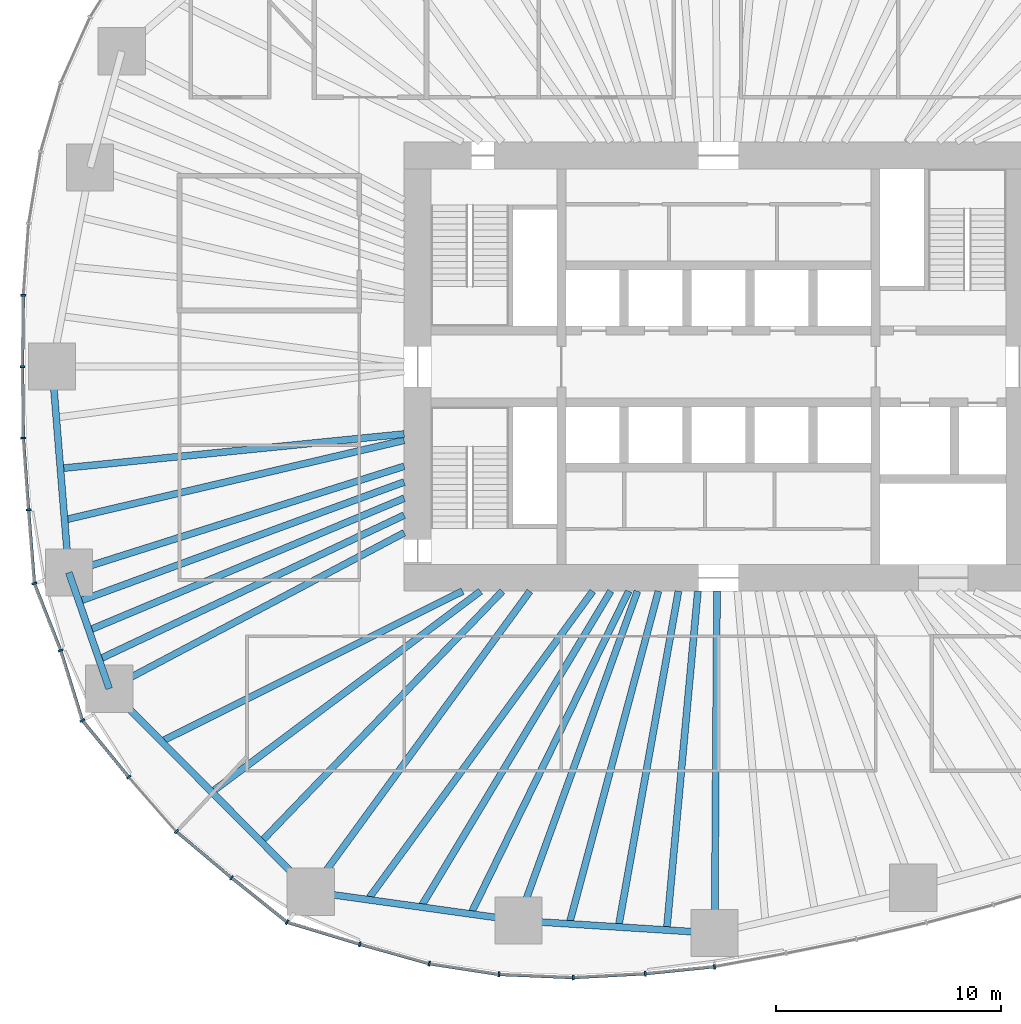
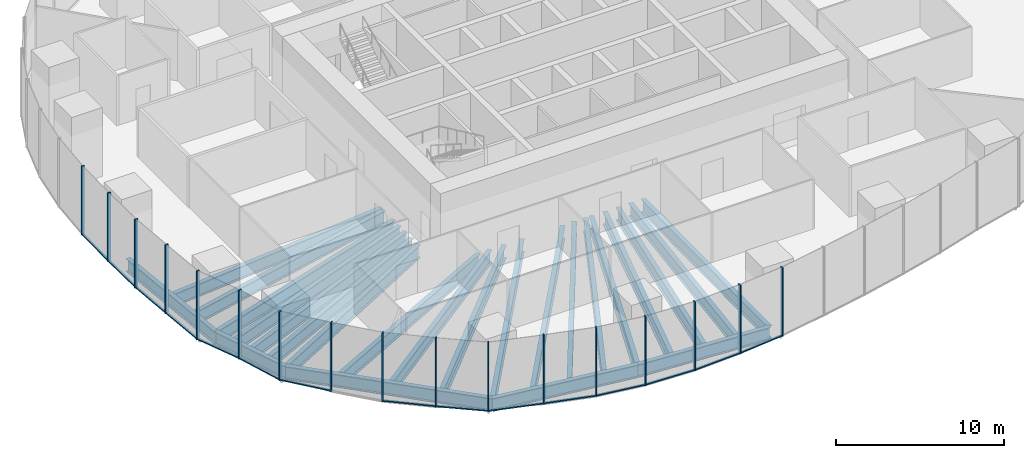
# One storey, part 2 of 20: 32 members, 24 beams, 7 elements without a shape of their own.
"""IFC4 building model written with IfcOpenShell, lengths in metres."""

from ifc_helpers import new_model, si_unit, direction, frame, origin, origin_2d, place, context, subcontext, project, spatial, rectangle, i_section, extrude, material, material_profile, profile_set, type_object, element, aggregate, save


model = new_model("IFC4")

# Units and contexts
model_context = context("Model", 3, precision=1e-05, world=origin(), true_north=direction((0.0, 1.0)))
body_context = subcontext(model_context, "Body", "Model", "MODEL_VIEW")
ifc_project = project(units=[si_unit("LENGTHUNIT", "METRE"), si_unit("AREAUNIT", "SQUARE_METRE"), si_unit("VOLUMEUNIT", "CUBIC_METRE"), si_unit("PLANEANGLEUNIT", "RADIAN"), si_unit("MASSUNIT", "GRAM", prefix="KILO")], contexts=[model_context])

# Site, building, storey
site_placement = place(None, origin())
site = spatial("IfcSite", under=ifc_project, at=site_placement, CompositionType="ELEMENT")
building_placement = place(site_placement, origin())
building = spatial("IfcBuilding", under=site, at=building_placement, Name="Ghaith Harvest Tower", CompositionType="ELEMENT")
storey_placement = place(building_placement, frame((0.0, 0.0, 40.0)))
storey = spatial("IfcBuildingStorey", under=building, at=storey_placement, Name="L08", CompositionType="ELEMENT", Elevation=40.0)

# Curtain wall, member
ifc_material_1 = material(Name="Black anodised aluminium and fritted glass", Category="aluminium")
curtain_wall_type = type_object("IfcCurtainWallType", Name="CW-F CURTAIN WALL", PredefinedType="NOTDEFINED", material=ifc_material_1)
curtain_wall_1_placement = place(storey_placement, origin())
curtain_wall_1 = element("IfcCurtainWall", 1, at=curtain_wall_1_placement, inside=storey, type_object=curtain_wall_type, Name="Curtain wall CW-F bay 10 L08", PredefinedType="NOTDEFINED")
ifc_material_2 = material(Name="Aluminium, black anodised", Category="aluminium")
ifc_material_profile_1 = material_profile(ifc_material_2, rectangle(XDim=0.080078125, YDim=0.219970703125, at=origin_2d()), Name="CW-F MULLION 80x220")
ifc_profile_set_1 = profile_set([ifc_material_profile_1], Name="Aluminium, black anodised")
member_type_1 = type_object("IfcMemberType", Name="CW-F MULLION 80x220", PredefinedType="MULLION", material=ifc_profile_set_1)
member_1_placement = place(storey_placement, frame((-30.95654296875, 3.177978515625, 0.0), z_axis=(0.0, 0.0, 1.0), x_axis=(-0.042427007767, -0.999099569118, 0.0)))
member_1 = element("IfcMember", 2, at=member_1_placement, type_object=member_type_1, Name="CW-F mullion 3 bay 10 L08", PredefinedType="MULLION", context=body_context, shape_type="SweptSolid", body=[
    extrude(rectangle(XDim=0.080078125, YDim=0.219970703125, at=origin_2d()), origin(), (0.0, 0.0, 1.0), 5.0),
])

# Curtain wall, members
curtain_wall_2_placement = place(storey_placement, origin())
curtain_wall_2 = element("IfcCurtainWall", 3, at=curtain_wall_2_placement, inside=storey, type_object=curtain_wall_type, Name="Curtain wall CW-F bay 11 L08", PredefinedType="NOTDEFINED")
member_2_placement = place(storey_placement, frame((-30.9951171875, 0.0, 0.0), z_axis=(0.0, 0.0, 1.0), x_axis=(1.4e-10, -1.0, 0.0)))
member_2 = element("IfcMember", 4, at=member_2_placement, type_object=member_type_1, Name="CW-F mullion 1 bay 11 L08", PredefinedType="MULLION", context=body_context, shape_type="SweptSolid", body=[
    extrude(rectangle(XDim=0.080078125, YDim=0.219970703125, at=origin_2d()), origin(), (0.0, 0.0, 1.0), 5.0),
])
member_3_placement = place(storey_placement, frame((-30.95654296875, -3.177978515625, 0.0), z_axis=(0.0, 0.0, 1.0), x_axis=(0.042427007872, -0.999099569114, 0.0)))
member_3 = element("IfcMember", 5, at=member_3_placement, type_object=member_type_1, Name="CW-F mullion 2 bay 11 L08", PredefinedType="MULLION", context=body_context, shape_type="SweptSolid", body=[
    extrude(rectangle(XDim=0.080078125, YDim=0.219970703125, at=origin_2d()), origin(), (0.0, 0.0, 1.0), 5.0),
])
member_4_placement = place(storey_placement, frame((-30.724365234375, -6.37548828125, 0.0), z_axis=(0.0, 0.0, 1.0), x_axis=(0.07568573288, -0.997131721408, 0.0)))
member_4 = element("IfcMember", 6, at=member_4_placement, type_object=member_type_1, Name="CW-F mullion 3 bay 11 L08", PredefinedType="MULLION", context=body_context, shape_type="SweptSolid", body=[
    extrude(rectangle(XDim=0.080078125, YDim=0.219970703125, at=origin_2d()), origin(), (0.0, 0.0, 1.0), 5.0),
])

curtain_wall_3_placement = place(storey_placement, origin())
curtain_wall_3 = element("IfcCurtainWall", 7, at=curtain_wall_3_placement, inside=storey, type_object=curtain_wall_type, Name="Curtain wall CW-F bay 12 L08", PredefinedType="NOTDEFINED")
member_5_placement = place(storey_placement, frame((-30.46484375, -9.65478515625, 0.0), z_axis=(0.0, 0.0, 1.0), x_axis=(0.222967363441, -0.974825910017, 0.0)))
member_5 = element("IfcMember", 8, at=member_5_placement, type_object=member_type_1, Name="CW-F mullion 1 bay 12 L08", PredefinedType="MULLION", context=body_context, shape_type="SweptSolid", body=[
    extrude(rectangle(XDim=0.080078125, YDim=0.219970703125, at=origin_2d()), origin(), (0.0, 0.0, 1.0), 5.0),
])
member_6_placement = place(storey_placement, frame((-29.29248046875, -12.63525390625, 0.0), z_axis=(0.0, 0.0, 1.0), x_axis=(0.330700518925, -0.943735750506, 0.0)))
member_6 = element("IfcMember", 9, at=member_6_placement, type_object=member_type_1, Name="CW-F mullion 2 bay 12 L08", PredefinedType="MULLION", context=body_context, shape_type="SweptSolid", body=[
    extrude(rectangle(XDim=0.080078125, YDim=0.219970703125, at=origin_2d()), origin(), (0.0, 0.0, 1.0), 5.0),
])
member_7_placement = place(storey_placement, frame((-28.3271484375, -15.7548828125, 0.0), z_axis=(0.0, 0.0, 1.0), x_axis=(0.473265082527, -0.880920065421, 0.0)))
member_7 = element("IfcMember", 10, at=member_7_placement, type_object=member_type_1, Name="CW-F mullion 3 bay 12 L08", PredefinedType="MULLION", context=body_context, shape_type="SweptSolid", body=[
    extrude(rectangle(XDim=0.080078125, YDim=0.219970703125, at=origin_2d()), origin(), (0.0, 0.0, 1.0), 5.0),
])

curtain_wall_4_placement = place(storey_placement, origin())
curtain_wall_4 = element("IfcCurtainWall", 11, at=curtain_wall_4_placement, inside=storey, type_object=curtain_wall_type, Name="Curtain wall CW-F bay 13 L08", PredefinedType="NOTDEFINED")
member_8_placement = place(storey_placement, frame((-26.26318359375, -18.274169921875, 0.0), z_axis=(0.0, 0.0, 1.0), x_axis=(0.646523538748, -0.762894038412, 0.0)))
member_8 = element("IfcMember", 12, at=member_8_placement, type_object=member_type_1, Name="CW-F mullion 1 bay 13 L08", PredefinedType="MULLION", context=body_context, shape_type="SweptSolid", body=[
    extrude(rectangle(XDim=0.080078125, YDim=0.219970703125, at=origin_2d()), origin(), (0.0, 0.0, 1.0), 5.0),
])
member_9_placement = place(storey_placement, frame((-24.139404296875, -20.696533203125, 0.0), z_axis=(0.0, 0.0, 1.0), x_axis=(0.714663248554, -0.699468684907, 0.0)))
member_9 = element("IfcMember", 13, at=member_9_placement, type_object=member_type_1, Name="CW-F mullion 2 bay 13 L08", PredefinedType="MULLION", context=body_context, shape_type="SweptSolid", body=[
    extrude(rectangle(XDim=0.080078125, YDim=0.219970703125, at=origin_2d()), origin(), (0.0, 0.0, 1.0), 5.0),
])
member_10_placement = place(storey_placement, frame((-21.681640625, -22.758056640625, 0.0), z_axis=(0.0, 0.0, 1.0), x_axis=(0.773138721505, -0.634236956751, 0.0)))
member_10 = element("IfcMember", 14, at=member_10_placement, type_object=member_type_1, Name="CW-F mullion 3 bay 13 L08", PredefinedType="MULLION", context=body_context, shape_type="SweptSolid", body=[
    extrude(rectangle(XDim=0.080078125, YDim=0.219970703125, at=origin_2d()), origin(), (0.0, 0.0, 1.0), 5.0),
])

curtain_wall_5_placement = place(storey_placement, origin())
curtain_wall_5 = element("IfcCurtainWall", 15, at=curtain_wall_5_placement, inside=storey, type_object=curtain_wall_type, Name="Curtain wall CW-F bay 14 L08", PredefinedType="NOTDEFINED")
member_11_placement = place(storey_placement, frame((-19.212646484375, -24.73828125, 0.0), z_axis=(0.0, 0.0, 1.0), x_axis=(0.887912253774, -0.460012858079, 0.0)))
member_11 = element("IfcMember", 16, at=member_11_placement, type_object=member_type_1, Name="CW-F mullion 1 bay 14 L08", PredefinedType="MULLION", context=body_context, shape_type="SweptSolid", body=[
    extrude(rectangle(XDim=0.080078125, YDim=0.219970703125, at=origin_2d()), origin(), (0.0, 0.0, 1.0), 5.0),
])
member_12_placement = place(storey_placement, frame((-15.97119140625, -25.716552734375, 0.0), z_axis=(0.0, 0.0, 1.0), x_axis=(0.960008876539, -0.279969564356, 0.0)))
member_12 = element("IfcMember", 17, at=member_12_placement, type_object=member_type_1, Name="CW-F mullion 2 bay 14 L08", PredefinedType="MULLION", context=body_context, shape_type="SweptSolid", body=[
    extrude(rectangle(XDim=0.080078125, YDim=0.219970703125, at=origin_2d()), origin(), (0.0, 0.0, 1.0), 5.0),
])
member_13_placement = place(storey_placement, frame((-12.880615234375, -26.5849609375, 0.0), z_axis=(0.0, 0.0, 1.0), x_axis=(0.977207016024, -0.212288595628, 0.0)))
member_13 = element("IfcMember", 18, at=member_13_placement, type_object=member_type_1, Name="CW-F mullion 3 bay 14 L08", PredefinedType="MULLION", context=body_context, shape_type="SweptSolid", body=[
    extrude(rectangle(XDim=0.080078125, YDim=0.219970703125, at=origin_2d()), origin(), (0.0, 0.0, 1.0), 5.0),
])

curtain_wall_6_placement = place(storey_placement, origin())
curtain_wall_6 = element("IfcCurtainWall", 19, at=curtain_wall_6_placement, inside=storey, type_object=curtain_wall_type, Name="Curtain wall CW-F bay 15 L08", PredefinedType="NOTDEFINED")
member_14_placement = place(storey_placement, frame((-9.7744140625, -27.062744140625, 0.0), z_axis=(0.0, 0.0, 1.0), x_axis=(0.995408459417, -0.095718331168, 0.0)))
member_14 = element("IfcMember", 20, at=member_14_placement, type_object=member_type_1, Name="CW-F mullion 1 bay 15 L08", PredefinedType="MULLION", context=body_context, shape_type="SweptSolid", body=[
    extrude(rectangle(XDim=0.080078125, YDim=0.219970703125, at=origin_2d()), origin(), (0.0, 0.0, 1.0), 5.0),
])
member_15_placement = place(storey_placement, frame((-6.465087890625, -27.20166015625, 0.0), z_axis=(0.0, 0.0, 1.0), x_axis=(0.999987206373, 0.005058368251, 0.0)))
member_15 = element("IfcMember", 21, at=member_15_placement, type_object=member_type_1, Name="CW-F mullion 2 bay 15 L08", PredefinedType="MULLION", context=body_context, shape_type="SweptSolid", body=[
    extrude(rectangle(XDim=0.080078125, YDim=0.219970703125, at=origin_2d()), origin(), (0.0, 0.0, 1.0), 5.0),
])
member_16_placement = place(storey_placement, frame((-3.261962890625, -27.02978515625, 0.0), z_axis=(0.0, 0.0, 1.0), x_axis=(0.997037536276, 0.07691652135, 0.0)))
member_16 = element("IfcMember", 22, at=member_16_placement, type_object=member_type_1, Name="CW-F mullion 3 bay 15 L08", PredefinedType="MULLION", context=body_context, shape_type="SweptSolid", body=[
    extrude(rectangle(XDim=0.080078125, YDim=0.219970703125, at=origin_2d()), origin(), (0.0, 0.0, 1.0), 5.0),
])

# Curtain wall, member
curtain_wall_7_placement = place(storey_placement, origin())
curtain_wall_7 = element("IfcCurtainWall", 23, at=curtain_wall_7_placement, inside=storey, type_object=curtain_wall_type, Name="Curtain wall CW-F bay 16 L08", PredefinedType="NOTDEFINED")
member_17_placement = place(storey_placement, frame((-0.182861328125, -26.717041015625, 0.0), z_axis=(0.0, 0.0, 1.0), x_axis=(0.98971187144, 0.143074845907, 0.0)))
member_17 = element("IfcMember", 24, at=member_17_placement, type_object=member_type_1, Name="CW-F mullion 1 bay 16 L08", PredefinedType="MULLION", context=body_context, shape_type="SweptSolid", body=[
    extrude(rectangle(XDim=0.080078125, YDim=0.219970703125, at=origin_2d()), origin(), (0.0, 0.0, 1.0), 5.0),
])
aggregate(curtain_wall_7, [member_17])

# Member
ifc_material_3 = material(Name="Aluminium, black anodised", Category="aluminium")
ifc_material_profile_2 = material_profile(ifc_material_3, rectangle(XDim=0.139892578125, YDim=0.080078125, at=origin_2d()), Name="CW-F TRANSOM 140x80")
ifc_profile_set_2 = profile_set([ifc_material_profile_2], Name="Aluminium, black anodised")
member_type_2 = type_object("IfcMemberType", Name="CW-F TRANSOM 140x80", PredefinedType="USERDEFINED", material=ifc_profile_set_2)
member_18_placement = place(storey_placement, frame((-30.95703125, 3.137939453125, 0.0400390625), z_axis=(-0.012135602457, -0.999926360865, 0.0), x_axis=(0.999926360865, -0.012135602457, 0.0)))
member_18 = element("IfcMember", 25, at=member_18_placement, type_object=member_type_2, Name="CW-F transom 3 bay 10 L08", ObjectType="TRANSOM", PredefinedType="USERDEFINED", context=body_context, shape_type="SweptSolid", body=[
    extrude(rectangle(XDim=0.139892578125, YDim=0.080078125, at=origin_2d()), origin(), (0.0, 0.0, 1.0), 3.09814453125),
])

aggregate(curtain_wall_1, [member_1, member_18])

member_19_placement = place(storey_placement, frame((-30.99462890625, -0.0400390625, 0.0400390625), z_axis=(0.012135602457, -0.999926360865, 0.0), x_axis=(0.999926360865, 0.012135602457, 0.0)))
member_19 = element("IfcMember", 26, at=member_19_placement, type_object=member_type_2, Name="CW-F transom 1 bay 11 L08", ObjectType="TRANSOM", PredefinedType="USERDEFINED", context=body_context, shape_type="SweptSolid", body=[
    extrude(rectangle(XDim=0.139892578125, YDim=0.080078125, at=origin_2d()), origin(), (0.0, 0.0, 1.0), 3.09814453125),
])

member_20_placement = place(storey_placement, frame((-30.95361328125, -3.2177734375, 0.0400390625), z_axis=(0.072473547161, -0.997370334912, 0.0), x_axis=(0.997370334912, 0.072473547161, 0.0)))
member_20 = element("IfcMember", 27, at=member_20_placement, type_object=member_type_2, Name="CW-F transom 2 bay 11 L08", ObjectType="TRANSOM", PredefinedType="USERDEFINED", context=body_context, shape_type="SweptSolid", body=[
    extrude(rectangle(XDim=0.139892578125, YDim=0.080078125, at=origin_2d()), origin(), (0.0, 0.0, 1.0), 3.126220703125),
])

member_21_placement = place(storey_placement, frame((-30.72119140625, -6.415283203125, 0.0400390625), z_axis=(0.078877539502, -0.996884313129, 0.0), x_axis=(0.996884313129, 0.078877539502, 0.0)))
member_21 = element("IfcMember", 28, at=member_21_placement, type_object=member_type_2, Name="CW-F transom 3 bay 11 L08", ObjectType="TRANSOM", PredefinedType="USERDEFINED", context=body_context, shape_type="SweptSolid", body=[
    extrude(rectangle(XDim=0.139892578125, YDim=0.080078125, at=origin_2d()), origin(), (0.0, 0.0, 1.0), 3.209716796875),
])

aggregate(curtain_wall_2, [member_2, member_19, member_3, member_20, member_4, member_21])

member_22_placement = place(storey_placement, frame((-30.4501953125, -9.692138671875, 0.0400390625), z_axis=(0.366046617161, -0.93059651518, 0.0), x_axis=(0.93059651518, 0.366046617161, 0.0)))
member_22 = element("IfcMember", 29, at=member_22_placement, type_object=member_type_2, Name="CW-F transom 1 bay 12 L08", ObjectType="TRANSOM", PredefinedType="USERDEFINED", context=body_context, shape_type="SweptSolid", body=[
    extrude(rectangle(XDim=0.139892578125, YDim=0.080078125, at=origin_2d()), origin(), (0.0, 0.0, 1.0), 3.122802734375),
])

member_23_placement = place(storey_placement, frame((-29.28076171875, -12.673583984375, 0.0400390625), z_axis=(0.295598800908, -0.955312173534, 0.0), x_axis=(0.955312173534, 0.295598800908, 0.0)))
member_23 = element("IfcMember", 30, at=member_23_placement, type_object=member_type_2, Name="CW-F transom 2 bay 12 L08", ObjectType="TRANSOM", PredefinedType="USERDEFINED", context=body_context, shape_type="SweptSolid", body=[
    extrude(rectangle(XDim=0.139892578125, YDim=0.080078125, at=origin_2d()), origin(), (0.0, 0.0, 1.0), 3.185546875),
])

member_24_placement = place(storey_placement, frame((-28.302001953125, -15.785888671875, 0.0400390625), z_axis=(0.633790042943, -0.773505126982, 0.0), x_axis=(0.773505126982, 0.633790042943, 0.0)))
member_24 = element("IfcMember", 31, at=member_24_placement, type_object=member_type_2, Name="CW-F transom 3 bay 12 L08", ObjectType="TRANSOM", PredefinedType="USERDEFINED", context=body_context, shape_type="SweptSolid", body=[
    extrude(rectangle(XDim=0.139892578125, YDim=0.080078125, at=origin_2d()), origin(), (0.0, 0.0, 1.0), 3.1767578125),
])

aggregate(curtain_wall_3, [member_5, member_22, member_6, member_23, member_7, member_24])

member_25_placement = place(storey_placement, frame((-24.10888671875, -20.72216796875, 0.0400390625), z_axis=(0.766144434184, -0.642668426149, 0.0), x_axis=(0.642668426149, 0.766144434184, 0.0)))
member_25 = element("IfcMember", 32, at=member_25_placement, type_object=member_type_2, Name="CW-F transom 2 bay 13 L08", ObjectType="TRANSOM", PredefinedType="USERDEFINED", context=body_context, shape_type="SweptSolid", body=[
    extrude(rectangle(XDim=0.139892578125, YDim=0.080078125, at=origin_2d()), origin(), (0.0, 0.0, 1.0), 3.1279296875),
])

member_26_placement = place(storey_placement, frame((-21.650634765625, -22.783203125, 0.0400390625), z_axis=(0.780181223133, -0.625553562112, 0.0), x_axis=(0.625553562112, 0.780181223133, 0.0)))
member_26 = element("IfcMember", 33, at=member_26_placement, type_object=member_type_2, Name="CW-F transom 3 bay 13 L08", ObjectType="TRANSOM", PredefinedType="USERDEFINED", context=body_context, shape_type="SweptSolid", body=[
    extrude(rectangle(XDim=0.139892578125, YDim=0.080078125, at=origin_2d()), origin(), (0.0, 0.0, 1.0), 3.085205078125),
])

aggregate(curtain_wall_4, [member_8, member_9, member_25, member_10, member_26])

member_27_placement = place(storey_placement, frame((-19.17431640625, -24.749755859375, 0.0400390625), z_axis=(0.957335035376, -0.288980328121, 0.0), x_axis=(0.288980328121, 0.957335035376, 0.0)))
member_27 = element("IfcMember", 34, at=member_27_placement, type_object=member_type_2, Name="CW-F transom 1 bay 14 L08", ObjectType="TRANSOM", PredefinedType="USERDEFINED", context=body_context, shape_type="SweptSolid", body=[
    extrude(rectangle(XDim=0.139892578125, YDim=0.080078125, at=origin_2d()), origin(), (0.0, 0.0, 1.0), 3.305908203125),
])

member_28_placement = place(storey_placement, frame((-15.9326171875, -25.727294921875, 0.0400390625), z_axis=(0.962727128991, -0.270474536888, 0.0), x_axis=(0.270474536888, 0.962727128991, 0.0)))
member_28 = element("IfcMember", 35, at=member_28_placement, type_object=member_type_2, Name="CW-F transom 2 bay 14 L08", ObjectType="TRANSOM", PredefinedType="USERDEFINED", context=body_context, shape_type="SweptSolid", body=[
    extrude(rectangle(XDim=0.139892578125, YDim=0.080078125, at=origin_2d()), origin(), (0.0, 0.0, 1.0), 3.13037109375),
])

member_29_placement = place(storey_placement, frame((-12.841064453125, -26.591064453125, 0.0400390625), z_axis=(0.988378147633, -0.152015253451, 0.0), x_axis=(0.152015253451, 0.988378147633, 0.0)))
member_29 = element("IfcMember", 36, at=member_29_placement, type_object=member_type_2, Name="CW-F transom 3 bay 14 L08", ObjectType="TRANSOM", PredefinedType="USERDEFINED", context=body_context, shape_type="SweptSolid", body=[
    extrude(rectangle(XDim=0.139892578125, YDim=0.080078125, at=origin_2d()), origin(), (0.0, 0.0, 1.0), 3.062744140625),
])

aggregate(curtain_wall_5, [member_11, member_27, member_12, member_28, member_13, member_29])

member_30_placement = place(storey_placement, frame((-9.734375, -27.064453125, 0.0400390625), z_axis=(0.999117688764, -0.04199814281, 0.0), x_axis=(0.04199814281, 0.999117688764, 0.0)))
member_30 = element("IfcMember", 37, at=member_30_placement, type_object=member_type_2, Name="CW-F transom 1 bay 15 L08", ObjectType="TRANSOM", PredefinedType="USERDEFINED", context=body_context, shape_type="SweptSolid", body=[
    extrude(rectangle(XDim=0.139892578125, YDim=0.080078125, at=origin_2d()), origin(), (0.0, 0.0, 1.0), 3.232177734375),
])

member_31_placement = place(storey_placement, frame((-6.42529296875, -27.19970703125, 0.0400390625), z_axis=(0.99856142387, 0.053619798202, 0.0), x_axis=(-0.053619798202, 0.99856142387, 0.0)))
member_31 = element("IfcMember", 38, at=member_31_placement, type_object=member_type_2, Name="CW-F transom 2 bay 15 L08", ObjectType="TRANSOM", PredefinedType="USERDEFINED", context=body_context, shape_type="SweptSolid", body=[
    extrude(rectangle(XDim=0.139892578125, YDim=0.080078125, at=origin_2d()), origin(), (0.0, 0.0, 1.0), 3.1279296875),
])

member_32_placement = place(storey_placement, frame((-3.22216796875, -27.02587890625, 0.0400390625), z_axis=(0.994880435036, 0.101058992587, 0.0), x_axis=(-0.101058992587, 0.994880435036, 0.0)))
member_32 = element("IfcMember", 39, at=member_32_placement, type_object=member_type_2, Name="CW-F transom 3 bay 15 L08", ObjectType="TRANSOM", PredefinedType="USERDEFINED", context=body_context, shape_type="SweptSolid", body=[
    extrude(rectangle(XDim=0.139892578125, YDim=0.080078125, at=origin_2d()), origin(), (0.0, 0.0, 1.0), 3.014892578125),
])

aggregate(curtain_wall_6, [member_14, member_30, member_15, member_31, member_16, member_32])

# Beams
ifc_material_4 = material(Name="Steel ASTM A992 Grade 50", Category="steel")
ifc_material_profile_3 = material_profile(ifc_material_4, i_section(OverallWidth=0.306884765625, OverallDepth=0.94189453125, WebThickness=0.022216796875, FlangeThickness=0.039794921875, at=origin_2d()), Name="W920X345")
ifc_profile_set_3 = profile_set([ifc_material_profile_3], Name="Steel ASTM A992 Grade 50")
beam_type_1 = type_object("IfcBeamType", Name="E920-345 W920X345", PredefinedType="SPANDREL", material=ifc_profile_set_3)
beam_1_placement = place(storey_placement, frame((-29.675048828125, 0.0, -0.6708984375), z_axis=(0.081006863421, -0.996713543642, 0.0), x_axis=(0.996713543642, 0.081006863421, 0.0)))
element("IfcBeam", 40, at=beam_1_placement, inside=storey, type_object=beam_type_1, Name="Edge beam E11 L08", PredefinedType="SPANDREL", context=body_context, shape_type="SweptSolid", body=[
    extrude(i_section(OverallWidth=0.306884765625, OverallDepth=0.94189453125, WebThickness=0.022216796875, FlangeThickness=0.039794921875, at=origin_2d()), origin(), (0.0, 0.0, 1.0), 9.1982421875),
])
beam_2_placement = place(storey_placement, frame((-28.929931640625, -9.16796875, -0.6708984375), z_axis=(0.328278550319, -0.944580961803, 0.0), x_axis=(0.944580961803, 0.328278550319, 0.0)))
element("IfcBeam", 41, at=beam_2_placement, inside=storey, type_object=beam_type_1, Name="Edge beam E12 L08", PredefinedType="SPANDREL", context=body_context, shape_type="SweptSolid", body=[
    extrude(i_section(OverallWidth=0.306884765625, OverallDepth=0.94189453125, WebThickness=0.022216796875, FlangeThickness=0.039794921875, at=origin_2d()), origin(), (0.0, 0.0, 1.0), 5.4765625),
])
beam_3_placement = place(storey_placement, frame((-27.132080078125, -14.341064453125, -0.6708984375), z_axis=(0.704562513714, -0.709641926798, 0.0), x_axis=(0.709641926798, 0.704562513714, 0.0)))
element("IfcBeam", 42, at=beam_3_placement, inside=storey, type_object=beam_type_1, Name="Edge beam E13 L08", PredefinedType="SPANDREL", context=body_context, shape_type="SweptSolid", body=[
    extrude(i_section(OverallWidth=0.306884765625, OverallDepth=0.94189453125, WebThickness=0.022216796875, FlangeThickness=0.039794921875, at=origin_2d()), origin(), (0.0, 0.0, 1.0), 12.737060546875),
])
beam_4_placement = place(storey_placement, frame((-18.157958984375, -23.3798828125, -0.6708984375), z_axis=(0.990441143901, -0.137936001352, 0.0), x_axis=(0.137936001352, 0.990441143901, 0.0)))
element("IfcBeam", 43, at=beam_4_placement, inside=storey, type_object=beam_type_1, Name="Edge beam E14 L08", PredefinedType="SPANDREL", context=body_context, shape_type="SweptSolid", body=[
    extrude(i_section(OverallWidth=0.306884765625, OverallDepth=0.94189453125, WebThickness=0.022216796875, FlangeThickness=0.039794921875, at=origin_2d()), origin(), (0.0, 0.0, 1.0), 9.33837890625),
])
beam_5_placement = place(storey_placement, frame((-8.908935546875, -24.66796875, -0.6708984375), z_axis=(0.99797963184, -0.063534671101, 0.0), x_axis=(0.063534671101, 0.99797963184, 0.0)))
element("IfcBeam", 44, at=beam_5_placement, inside=storey, type_object=beam_type_1, Name="Edge beam E15 L08", PredefinedType="SPANDREL", context=body_context, shape_type="SweptSolid", body=[
    extrude(i_section(OverallWidth=0.306884765625, OverallDepth=0.94189453125, WebThickness=0.022216796875, FlangeThickness=0.039794921875, at=origin_2d()), origin(), (0.0, 0.0, 1.0), 8.75341796875),
])
ifc_material_5 = material(Name="Steel ASTM A992 Grade 50", Category="steel")
ifc_material_profile_4 = material_profile(ifc_material_5, i_section(OverallWidth=0.306884765625, OverallDepth=0.94189453125, WebThickness=0.022216796875, FlangeThickness=0.039794921875, at=origin_2d()), Name="W920X345")
ifc_profile_set_4 = profile_set([ifc_material_profile_4], Name="Steel ASTM A992 Grade 50")
beam_type_2 = type_object("IfcBeamType", Name="G920-345 W920X345", PredefinedType="BEAM", material=ifc_profile_set_4)
beam_6_placement = place(storey_placement, frame((-14.0, -4.43701171875, -0.6708984375), z_axis=(-0.953284407194, -0.302074227636, 0.0), x_axis=(0.302074227636, -0.953284407194, 0.0)))
element("IfcBeam", 45, at=beam_6_placement, inside=storey, type_object=beam_type_2, Name="Radial girder G12 L08", PredefinedType="BEAM", context=body_context, shape_type="SweptSolid", body=[
    extrude(i_section(OverallWidth=0.306884765625, OverallDepth=0.94189453125, WebThickness=0.022216796875, FlangeThickness=0.039794921875, at=origin_2d()), origin(), (0.0, 0.0, 1.0), 15.66162109375),
])
beam_7_placement = place(storey_placement, frame((-14.0, -7.39990234375, -0.6708984375), z_axis=(-0.884097171481, -0.467303104397, 0.0), x_axis=(0.467303104397, -0.884097171481, 0.0)))
element("IfcBeam", 46, at=beam_7_placement, inside=storey, type_object=beam_type_2, Name="Radial girder G13 L08", PredefinedType="BEAM", context=body_context, shape_type="SweptSolid", body=[
    extrude(i_section(OverallWidth=0.306884765625, OverallDepth=0.94189453125, WebThickness=0.022216796875, FlangeThickness=0.039794921875, at=origin_2d()), origin(), (0.0, 0.0, 1.0), 14.853759765625),
])
beam_8_placement = place(storey_placement, frame((-8.39990234375, -10.0, -0.6708984375), z_axis=(-0.589246749374, -0.807953134997, 0.0), x_axis=(0.807953134997, -0.589246749374, 0.0)))
element("IfcBeam", 47, at=beam_8_placement, inside=storey, type_object=beam_type_2, Name="Radial girder G14 L08", PredefinedType="BEAM", context=body_context, shape_type="SweptSolid", body=[
    extrude(i_section(OverallWidth=0.306884765625, OverallDepth=0.94189453125, WebThickness=0.022216796875, FlangeThickness=0.039794921875, at=origin_2d()), origin(), (0.0, 0.0, 1.0), 16.560302734375),
])
beam_9_placement = place(storey_placement, frame((-3.61181640625, -10.0, -0.6708984375), z_axis=(-0.339664467784, -0.940546675782, 0.0), x_axis=(0.940546675782, -0.339664467784, 0.0)))
element("IfcBeam", 48, at=beam_9_placement, inside=storey, type_object=beam_type_2, Name="Radial girder G15 L08", PredefinedType="BEAM", context=body_context, shape_type="SweptSolid", body=[
    extrude(i_section(OverallWidth=0.306884765625, OverallDepth=0.94189453125, WebThickness=0.022216796875, FlangeThickness=0.039794921875, at=origin_2d()), origin(), (0.0, 0.0, 1.0), 15.59521484375),
])
beam_10_placement = place(storey_placement, frame((-0.068359375, -10.0, -0.6708984375), z_axis=(-0.006879467722, -0.999976336182, 0.0), x_axis=(0.999976336182, -0.006879467722, 0.0)))
element("IfcBeam", 49, at=beam_10_placement, inside=storey, type_object=beam_type_2, Name="Radial girder G16 L08", PredefinedType="BEAM", context=body_context, shape_type="SweptSolid", body=[
    extrude(i_section(OverallWidth=0.306884765625, OverallDepth=0.94189453125, WebThickness=0.022216796875, FlangeThickness=0.039794921875, at=origin_2d()), origin(), (0.0, 0.0, 1.0), 15.224365234375),
])
ifc_material_6 = material(Name="Steel ASTM A992 Grade 50", Category="steel")
ifc_material_profile_5 = material_profile(ifc_material_6, i_section(OverallWidth=0.31005859375, OverallDepth=0.927001953125, WebThickness=0.019287109375, FlangeThickness=0.031982421875, at=origin_2d()), Name="W920X289")
ifc_profile_set_5 = profile_set([ifc_material_profile_5], Name="Steel ASTM A992 Grade 50")
beam_type_3 = type_object("IfcBeamType", Name="J920-289 W920X289", PredefinedType="JOIST", material=ifc_profile_set_5)
beam_11_placement = place(storey_placement, frame((-14.0, -3.0, -0.66357421875), z_axis=(-0.995023982133, -0.099635711366, 0.0), x_axis=(0.099635711366, -0.995023982133, 0.0)))
element("IfcBeam", 50, at=beam_11_placement, inside=storey, type_object=beam_type_3, Name="Joist J11.2 L08", PredefinedType="JOIST", context=body_context, shape_type="SweptSolid", body=[
    extrude(i_section(OverallWidth=0.31005859375, OverallDepth=0.927001953125, WebThickness=0.019287109375, FlangeThickness=0.031982421875, at=origin_2d()), origin(), (0.0, 0.0, 1.0), 15.38330078125),
])
beam_12_placement = place(storey_placement, frame((-14.0, -3.280517578125, -0.66357421875), z_axis=(-0.973622531394, -0.228164778969, 0.0), x_axis=(0.228164778969, -0.973622531394, 0.0)))
element("IfcBeam", 51, at=beam_12_placement, inside=storey, type_object=beam_type_3, Name="Joist J11.3 L08", PredefinedType="JOIST", context=body_context, shape_type="SweptSolid", body=[
    extrude(i_section(OverallWidth=0.31005859375, OverallDepth=0.927001953125, WebThickness=0.019287109375, FlangeThickness=0.031982421875, at=origin_2d()), origin(), (0.0, 0.0, 1.0), 15.5302734375),
])
beam_13_placement = place(storey_placement, frame((-14.0, -5.137939453125, -0.66357421875), z_axis=(-0.938772784742, -0.344536875569, 0.0), x_axis=(0.344536875569, -0.938772784742, 0.0)))
element("IfcBeam", 52, at=beam_13_placement, inside=storey, type_object=beam_type_3, Name="Joist J12.1 L08", PredefinedType="JOIST", context=body_context, shape_type="SweptSolid", body=[
    extrude(i_section(OverallWidth=0.31005859375, OverallDepth=0.927001953125, WebThickness=0.019287109375, FlangeThickness=0.031982421875, at=origin_2d()), origin(), (0.0, 0.0, 1.0), 15.427734375),
])
beam_14_placement = place(storey_placement, frame((-14.0, -5.862548828125, -0.66357421875), z_axis=(-0.922389547545, -0.386260951404, 0.0), x_axis=(0.386260951404, -0.922389547545, 0.0)))
element("IfcBeam", 53, at=beam_14_placement, inside=storey, type_object=beam_type_3, Name="Joist J12.2 L08", PredefinedType="JOIST", context=body_context, shape_type="SweptSolid", body=[
    extrude(i_section(OverallWidth=0.31005859375, OverallDepth=0.927001953125, WebThickness=0.019287109375, FlangeThickness=0.031982421875, at=origin_2d()), origin(), (0.0, 0.0, 1.0), 15.216796875),
])
beam_15_placement = place(storey_placement, frame((-14.0, -6.614990234375, -0.66357421875), z_axis=(-0.904152605228, -0.427209628239, 0.0), x_axis=(0.427209628239, -0.904152605228, 0.0)))
element("IfcBeam", 54, at=beam_15_placement, inside=storey, type_object=beam_type_3, Name="Joist J12.3 L08", PredefinedType="JOIST", context=body_context, shape_type="SweptSolid", body=[
    extrude(i_section(OverallWidth=0.31005859375, OverallDepth=0.927001953125, WebThickness=0.019287109375, FlangeThickness=0.031982421875, at=origin_2d()), origin(), (0.0, 0.0, 1.0), 15.0263671875),
])
beam_16_placement = place(storey_placement, frame((-11.39990234375, -10.0, -0.66357421875), z_axis=(-0.894746445211, -0.446574516495, 0.0), x_axis=(0.446574516495, -0.894746445211, 0.0)))
element("IfcBeam", 55, at=beam_16_placement, inside=storey, type_object=beam_type_3, Name="Joist J13.1 L08", PredefinedType="JOIST", context=body_context, shape_type="SweptSolid", body=[
    extrude(i_section(OverallWidth=0.31005859375, OverallDepth=0.927001953125, WebThickness=0.019287109375, FlangeThickness=0.031982421875, at=origin_2d()), origin(), (0.0, 0.0, 1.0), 14.977783203125),
])
beam_17_placement = place(storey_placement, frame((-10.60009765625, -10.0, -0.66357421875), z_axis=(-0.800995319048, -0.598670609653, 0.0), x_axis=(0.598670609653, -0.800995319048, 0.0)))
element("IfcBeam", 56, at=beam_17_placement, inside=storey, type_object=beam_type_3, Name="Joist J13.2 L08", PredefinedType="JOIST", context=body_context, shape_type="SweptSolid", body=[
    extrude(i_section(OverallWidth=0.31005859375, OverallDepth=0.927001953125, WebThickness=0.019287109375, FlangeThickness=0.031982421875, at=origin_2d()), origin(), (0.0, 0.0, 1.0), 14.936279296875),
])
beam_18_placement = place(storey_placement, frame((-1.785888671875, -10.0, -0.66357421875), z_axis=(-0.175792307544, -0.984427277461, 0.0), x_axis=(0.984427277461, -0.175792307544, 0.0)))
element("IfcBeam", 57, at=beam_18_placement, inside=storey, type_object=beam_type_3, Name="Joist J15.2 L08", PredefinedType="JOIST", context=body_context, shape_type="SweptSolid", body=[
    extrude(i_section(OverallWidth=0.31005859375, OverallDepth=0.927001953125, WebThickness=0.019287109375, FlangeThickness=0.031982421875, at=origin_2d()), origin(), (0.0, 0.0, 1.0), 15.18798828125),
])
beam_19_placement = place(storey_placement, frame((-0.92041015625, -10.0, -0.66357421875), z_axis=(-0.091651457116, -0.995791147987, 0.0), x_axis=(0.995791147987, -0.091651457116, 0.0)))
element("IfcBeam", 58, at=beam_19_placement, inside=storey, type_object=beam_type_3, Name="Joist J15.3 L08", PredefinedType="JOIST", context=body_context, shape_type="SweptSolid", body=[
    extrude(i_section(OverallWidth=0.31005859375, OverallDepth=0.927001953125, WebThickness=0.019287109375, FlangeThickness=0.031982421875, at=origin_2d()), origin(), (0.0, 0.0, 1.0), 15.151611328125),
])
ifc_material_7 = material(Name="Steel ASTM A992 Grade 50", Category="steel")
ifc_material_profile_6 = material_profile(ifc_material_7, i_section(OverallWidth=0.306884765625, OverallDepth=0.94189453125, WebThickness=0.022216796875, FlangeThickness=0.039794921875, at=origin_2d()), Name="W920X345")
ifc_profile_set_6 = profile_set([ifc_material_profile_6], Name="Steel ASTM A992 Grade 50")
beam_type_4 = type_object("IfcBeamType", Name="J920-345 W920X345", PredefinedType="JOIST", material=ifc_profile_set_6)
beam_20_placement = place(storey_placement, frame((-9.626708984375, -10.0, -0.6708984375), z_axis=(-0.69353836378, -0.720419695709, 0.0), x_axis=(0.720419695709, -0.69353836378, 0.0)))
element("IfcBeam", 59, at=beam_20_placement, inside=storey, type_object=beam_type_4, Name="Joist J13.3 L08", PredefinedType="JOIST", context=body_context, shape_type="SweptSolid", body=[
    extrude(i_section(OverallWidth=0.306884765625, OverallDepth=0.94189453125, WebThickness=0.022216796875, FlangeThickness=0.039794921875, at=origin_2d()), origin(), (0.0, 0.0, 1.0), 15.485107421875),
])
beam_21_placement = place(storey_placement, frame((-5.60009765625, -10.0, -0.6708984375), z_axis=(-0.589160240072, -0.808016219836, 0.0), x_axis=(0.808016219836, -0.589160240072, 0.0)))
element("IfcBeam", 60, at=beam_21_placement, inside=storey, type_object=beam_type_4, Name="Joist J14.1 L08", PredefinedType="JOIST", context=body_context, shape_type="SweptSolid", body=[
    extrude(i_section(OverallWidth=0.306884765625, OverallDepth=0.94189453125, WebThickness=0.022216796875, FlangeThickness=0.039794921875, at=origin_2d()), origin(), (0.0, 0.0, 1.0), 16.997314453125),
])
beam_22_placement = place(storey_placement, frame((-4.800048828125, -10.0, -0.6708984375), z_axis=(-0.515226384897, -0.85705412449, 0.0), x_axis=(0.85705412449, -0.515226384897, 0.0)))
element("IfcBeam", 61, at=beam_22_placement, inside=storey, type_object=beam_type_4, Name="Joist J14.2 L08", PredefinedType="JOIST", context=body_context, shape_type="SweptSolid", body=[
    extrude(i_section(OverallWidth=0.306884765625, OverallDepth=0.94189453125, WebThickness=0.022216796875, FlangeThickness=0.039794921875, at=origin_2d()), origin(), (0.0, 0.0, 1.0), 16.408447265625),
])
beam_23_placement = place(storey_placement, frame((-4.0, -10.0, -0.6708984375), z_axis=(-0.439463806704, -0.898260297797, 0.0), x_axis=(0.898260297797, -0.439463806704, 0.0)))
element("IfcBeam", 62, at=beam_23_placement, inside=storey, type_object=beam_type_4, Name="Joist J14.3 L08", PredefinedType="JOIST", context=body_context, shape_type="SweptSolid", body=[
    extrude(i_section(OverallWidth=0.306884765625, OverallDepth=0.94189453125, WebThickness=0.022216796875, FlangeThickness=0.039794921875, at=origin_2d()), origin(), (0.0, 0.0, 1.0), 16.000244140625),
])
beam_24_placement = place(storey_placement, frame((-2.677978515625, -10.0, -0.6708984375), z_axis=(-0.258693109612, -0.965959561803, 0.0), x_axis=(0.965959561803, -0.258693109612, 0.0)))
element("IfcBeam", 63, at=beam_24_placement, inside=storey, type_object=beam_type_4, Name="Joist J15.1 L08", PredefinedType="JOIST", context=body_context, shape_type="SweptSolid", body=[
    extrude(i_section(OverallWidth=0.306884765625, OverallDepth=0.94189453125, WebThickness=0.022216796875, FlangeThickness=0.039794921875, at=origin_2d()), origin(), (0.0, 0.0, 1.0), 15.333984375),
])

save(model, "model.ifc")
